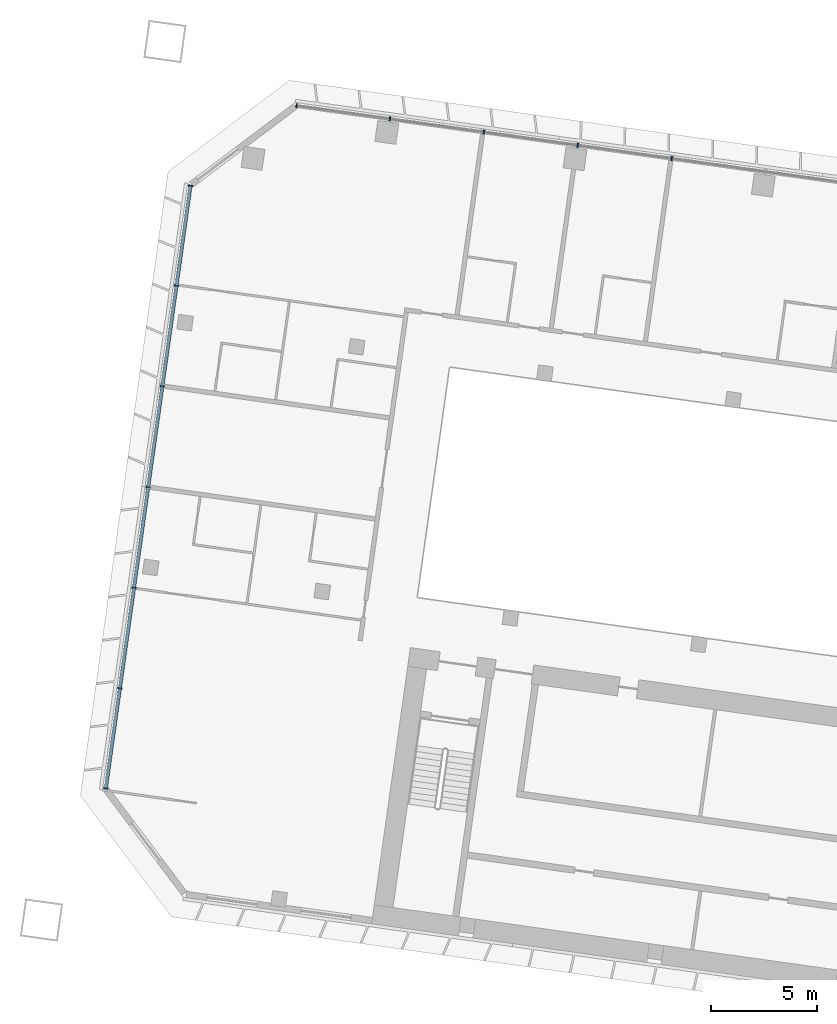
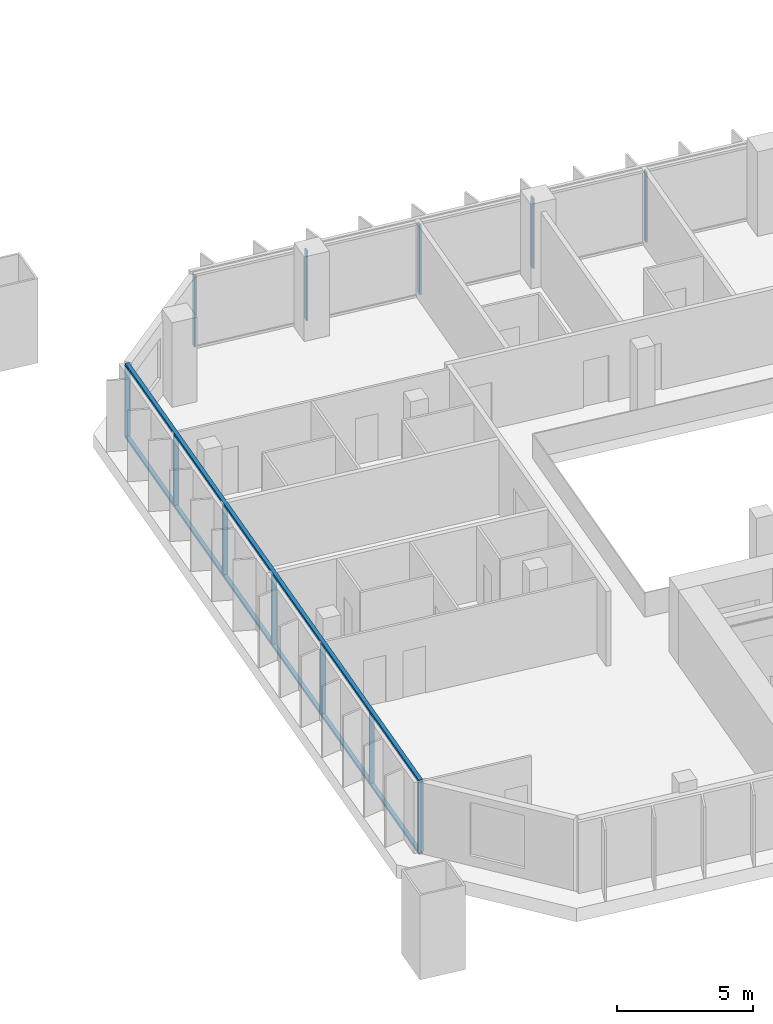
# One storey, part 2 of 24: 14 members, 2 elements without a shape of their own.
"""IFC4 building model written with IfcOpenShell, lengths in metres."""

from ifc_helpers import new_model, si_unit, direction, frame, origin, origin_2d, place, context, subcontext, project, spatial, rectangle, extrude, material, material_profile, profile_set, type_object, element, aggregate, save


model = new_model("IFC4")

# Units and contexts
model_context = context("Model", 3, precision=1e-05, world=origin(), true_north=direction((0.0, 1.0)))
body_context = subcontext(model_context, "Body", "Model", "MODEL_VIEW")
ifc_project = project(units=[si_unit("LENGTHUNIT", "METRE"), si_unit("AREAUNIT", "SQUARE_METRE"), si_unit("VOLUMEUNIT", "CUBIC_METRE"), si_unit("PLANEANGLEUNIT", "RADIAN"), si_unit("MASSUNIT", "GRAM", prefix="KILO")], contexts=[model_context])

# Site, building, storey
site_placement = place(None, origin())
site = spatial("IfcSite", under=ifc_project, at=site_placement, CompositionType="ELEMENT")
building_placement = place(site_placement, origin())
building = spatial("IfcBuilding", under=site, at=building_placement, Name="Mirante Cascada Hotel Towers", CompositionType="ELEMENT")
storey_placement = place(building_placement, frame((0.0, 0.0, 77.5)))
storey = spatial("IfcBuildingStorey", under=building, at=storey_placement, Name="L16", CompositionType="ELEMENT", Elevation=77.5)

# Curtain wall, members
ifc_material_1 = material(Name="Aluminium mullion and transom frame with clear laminated glass", Category="aluminium")
curtain_wall_type_1 = type_object("IfcCurtainWallType", Name="Ribbon curtain wall ECW1", PredefinedType="NOTDEFINED", material=ifc_material_1)
curtain_wall_1_placement = place(storey_placement, origin())
curtain_wall_1 = element("IfcCurtainWall", 1, at=curtain_wall_1_placement, inside=storey, type_object=curtain_wall_type_1, Name="Front ribbon wall T1 L16", PredefinedType="NOTDEFINED")
ifc_material_2 = material(Name="Anodised aluminium extrusion", Category="aluminium")
ifc_material_profile_1 = material_profile(ifc_material_2, rectangle(XDim=0.2, YDim=0.065, at=origin_2d()), Name="ECW1 MULLION 65x200")
ifc_profile_set_1 = profile_set([ifc_material_profile_1], Name="Anodised aluminium extrusion")
member_type_1 = type_object("IfcMemberType", Name="ECW1 mullion 65x200", PredefinedType="MULLION", material=ifc_profile_set_1)
member_1_placement = place(storey_placement, frame((-94.126, 26.0476, 0.1), z_axis=(0.0, 0.0, 1.0), x_axis=(0.1391731, 0.9902681, 0.0)))
member_1 = element("IfcMember", 2, at=member_1_placement, type_object=member_type_1, Name="ECW1 mullion 1", PredefinedType="MULLION", context=body_context, shape_type="SweptSolid", body=[
    extrude(rectangle(XDim=0.2, YDim=0.065, at=origin_2d()), origin(), (0.0, 0.0, 1.0), 3.15),
])
member_2_placement = place(storey_placement, frame((-89.7107, 25.427, 0.1), z_axis=(0.0, 0.0, 1.0), x_axis=(0.1391731, 0.9902681, 0.0)))
member_2 = element("IfcMember", 3, at=member_2_placement, type_object=member_type_1, Name="ECW1 mullion 2", PredefinedType="MULLION", context=body_context, shape_type="SweptSolid", body=[
    extrude(rectangle(XDim=0.2, YDim=0.065, at=origin_2d()), origin(), (0.0, 0.0, 1.0), 3.15),
])
member_3_placement = place(storey_placement, frame((-85.2633, 24.802, 0.1), z_axis=(0.0, 0.0, 1.0), x_axis=(0.1391731, 0.9902681, 0.0)))
member_3 = element("IfcMember", 4, at=member_3_placement, type_object=member_type_1, Name="ECW1 mullion 3", PredefinedType="MULLION", context=body_context, shape_type="SweptSolid", body=[
    extrude(rectangle(XDim=0.2, YDim=0.065, at=origin_2d()), origin(), (0.0, 0.0, 1.0), 3.15),
])
member_4_placement = place(storey_placement, frame((-80.8159, 24.177, 0.1), z_axis=(0.0, 0.0, 1.0), x_axis=(0.1391731, 0.9902681, 0.0)))
member_4 = element("IfcMember", 5, at=member_4_placement, type_object=member_type_1, Name="ECW1 mullion 4", PredefinedType="MULLION", context=body_context, shape_type="SweptSolid", body=[
    extrude(rectangle(XDim=0.2, YDim=0.065, at=origin_2d()), origin(), (0.0, 0.0, 1.0), 3.15),
])
member_5_placement = place(storey_placement, frame((-76.3685, 23.5519, 0.1), z_axis=(0.0, 0.0, 1.0), x_axis=(0.1391731, 0.9902681, 0.0)))
member_5 = element("IfcMember", 6, at=member_5_placement, type_object=member_type_1, Name="ECW1 mullion 5", PredefinedType="MULLION", context=body_context, shape_type="SweptSolid", body=[
    extrude(rectangle(XDim=0.2, YDim=0.065, at=origin_2d()), origin(), (0.0, 0.0, 1.0), 3.15),
])
aggregate(curtain_wall_1, [member_1, member_2, member_3, member_4, member_5])

ifc_material_3 = material(Name="Aluminium mullion and transom frame with clear laminated glass", Category="aluminium")
curtain_wall_type_2 = type_object("IfcCurtainWallType", Name="End ribbon curtain wall ECW2", PredefinedType="NOTDEFINED", material=ifc_material_3)
curtain_wall_2_placement = place(storey_placement, origin())
curtain_wall_2 = element("IfcCurtainWall", 7, at=curtain_wall_2_placement, inside=storey, type_object=curtain_wall_type_2, Name="Outer end wall T1 L16", PredefinedType="NOTDEFINED")
ifc_material_4 = material(Name="Anodised aluminium extrusion", Category="aluminium")
ifc_material_profile_2 = material_profile(ifc_material_4, rectangle(XDim=0.2, YDim=0.065, at=origin_2d()), Name="ECW2 MULLION 65x200")
ifc_profile_set_2 = profile_set([ifc_material_profile_2], Name="Anodised aluminium extrusion")
member_type_2 = type_object("IfcMemberType", Name="ECW2 mullion 65x200", PredefinedType="MULLION", material=ifc_profile_set_2)
member_6_placement = place(storey_placement, frame((-103.1556, -6.2656, 0.1), z_axis=(0.0, 0.0, 1.0), x_axis=(-0.9902681, 0.1391731, 0.0)))
member_6 = element("IfcMember", 8, at=member_6_placement, type_object=member_type_2, Name="ECW2 mullion 1", PredefinedType="MULLION", context=body_context, shape_type="SweptSolid", body=[
    extrude(rectangle(XDim=0.2, YDim=0.065, at=origin_2d()), origin(), (0.0, 0.0, 1.0), 3.15),
])
member_7_placement = place(storey_placement, frame((-102.4903, -1.532, 0.1), z_axis=(0.0, 0.0, 1.0), x_axis=(-0.9902681, 0.1391731, 0.0)))
member_7 = element("IfcMember", 9, at=member_7_placement, type_object=member_type_2, Name="ECW2 mullion 2", PredefinedType="MULLION", context=body_context, shape_type="SweptSolid", body=[
    extrude(rectangle(XDim=0.2, YDim=0.065, at=origin_2d()), origin(), (0.0, 0.0, 1.0), 3.15),
])
member_8_placement = place(storey_placement, frame((-101.8205, 3.2338, 0.1), z_axis=(0.0, 0.0, 1.0), x_axis=(-0.9902681, 0.1391731, 0.0)))
member_8 = element("IfcMember", 10, at=member_8_placement, type_object=member_type_2, Name="ECW2 mullion 3", PredefinedType="MULLION", context=body_context, shape_type="SweptSolid", body=[
    extrude(rectangle(XDim=0.2, YDim=0.065, at=origin_2d()), origin(), (0.0, 0.0, 1.0), 3.15),
])
member_9_placement = place(storey_placement, frame((-101.1508, 7.9996, 0.1), z_axis=(0.0, 0.0, 1.0), x_axis=(-0.9902681, 0.1391731, 0.0)))
member_9 = element("IfcMember", 11, at=member_9_placement, type_object=member_type_2, Name="ECW2 mullion 4", PredefinedType="MULLION", context=body_context, shape_type="SweptSolid", body=[
    extrude(rectangle(XDim=0.2, YDim=0.065, at=origin_2d()), origin(), (0.0, 0.0, 1.0), 3.15),
])
member_10_placement = place(storey_placement, frame((-100.481, 12.7654, 0.1), z_axis=(0.0, 0.0, 1.0), x_axis=(-0.9902681, 0.1391731, 0.0)))
member_10 = element("IfcMember", 12, at=member_10_placement, type_object=member_type_2, Name="ECW2 mullion 5", PredefinedType="MULLION", context=body_context, shape_type="SweptSolid", body=[
    extrude(rectangle(XDim=0.2, YDim=0.065, at=origin_2d()), origin(), (0.0, 0.0, 1.0), 3.15),
])
member_11_placement = place(storey_placement, frame((-99.8112, 17.5312, 0.1), z_axis=(0.0, 0.0, 1.0), x_axis=(-0.9902681, 0.1391731, 0.0)))
member_11 = element("IfcMember", 13, at=member_11_placement, type_object=member_type_2, Name="ECW2 mullion 6", PredefinedType="MULLION", context=body_context, shape_type="SweptSolid", body=[
    extrude(rectangle(XDim=0.2, YDim=0.065, at=origin_2d()), origin(), (0.0, 0.0, 1.0), 3.15),
])
member_12_placement = place(storey_placement, frame((-99.1459, 22.2648, 0.1), z_axis=(0.0, 0.0, 1.0), x_axis=(-0.9902681, 0.1391731, 0.0)))
member_12 = element("IfcMember", 14, at=member_12_placement, type_object=member_type_2, Name="ECW2 mullion 7", PredefinedType="MULLION", context=body_context, shape_type="SweptSolid", body=[
    extrude(rectangle(XDim=0.2, YDim=0.065, at=origin_2d()), origin(), (0.0, 0.0, 1.0), 3.15),
])
ifc_material_5 = material(Name="Anodised aluminium extrusion", Category="aluminium")
ifc_material_profile_3 = material_profile(ifc_material_5, rectangle(XDim=0.16, YDim=0.1, at=origin_2d()), Name="ECW2 TRANSOM 100x160")
ifc_profile_set_3 = profile_set([ifc_material_profile_3], Name="Anodised aluminium extrusion")
member_type_3 = type_object("IfcMemberType", Name="ECW2 transom 100x160", PredefinedType="USERDEFINED", material=ifc_profile_set_3)
member_13_placement = place(storey_placement, frame((-103.1601, -6.2978, 0.05), z_axis=(0.1391723, 0.9902682, 0.0), x_axis=(-0.9902682, 0.1391723, 0.0)))
member_13 = element("IfcMember", 15, at=member_13_placement, type_object=member_type_3, Name="ECW2 sill transom", ObjectType="TRANSOM", PredefinedType="USERDEFINED", context=body_context, shape_type="SweptSolid", body=[
    extrude(rectangle(XDim=0.16, YDim=0.1, at=origin_2d()), origin(), (0.0, 0.0, 1.0), 28.8757),
])
member_14_placement = place(storey_placement, frame((-103.1601, -6.2978, 3.3), z_axis=(0.1391723, 0.9902682, 0.0), x_axis=(-0.9902682, 0.1391723, 0.0)))
member_14 = element("IfcMember", 16, at=member_14_placement, type_object=member_type_3, Name="ECW2 head transom", ObjectType="TRANSOM", PredefinedType="USERDEFINED", context=body_context, shape_type="SweptSolid", body=[
    extrude(rectangle(XDim=0.16, YDim=0.1, at=origin_2d()), origin(), (0.0, 0.0, 1.0), 28.8757),
])
aggregate(curtain_wall_2, [member_13, member_14, member_6, member_7, member_8, member_9, member_10, member_11, member_12])

save(model, "model.ifc")
